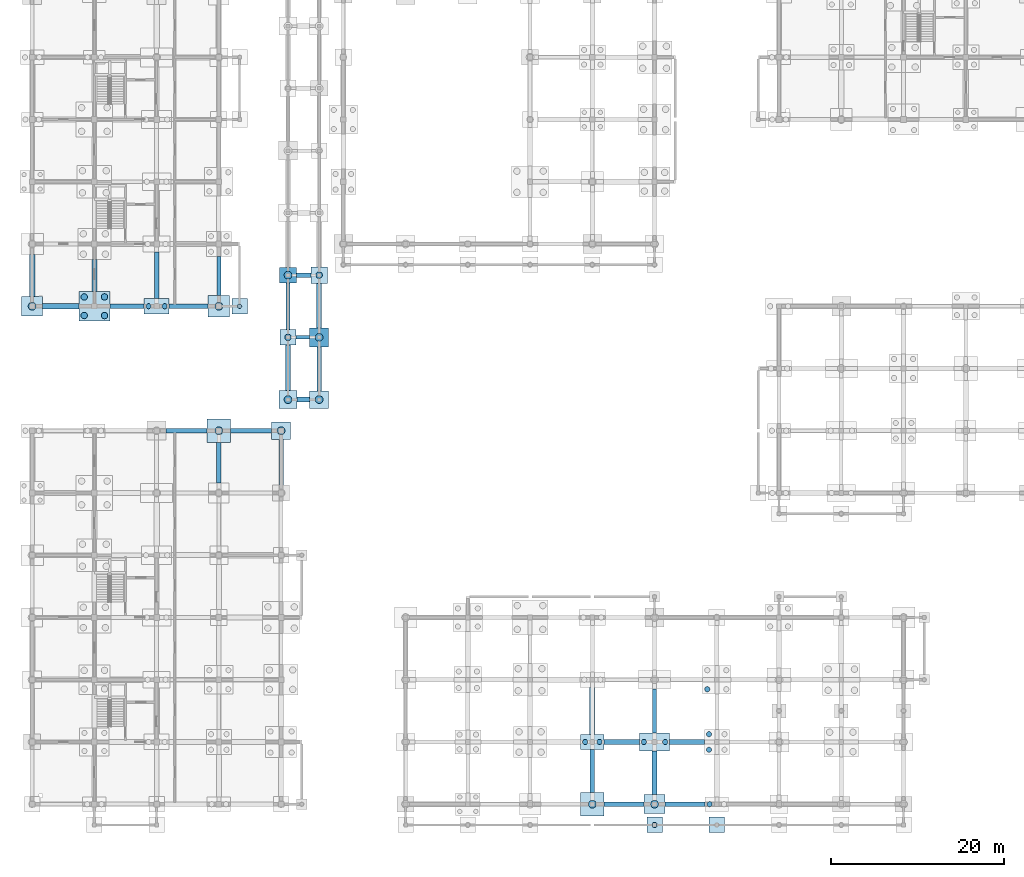
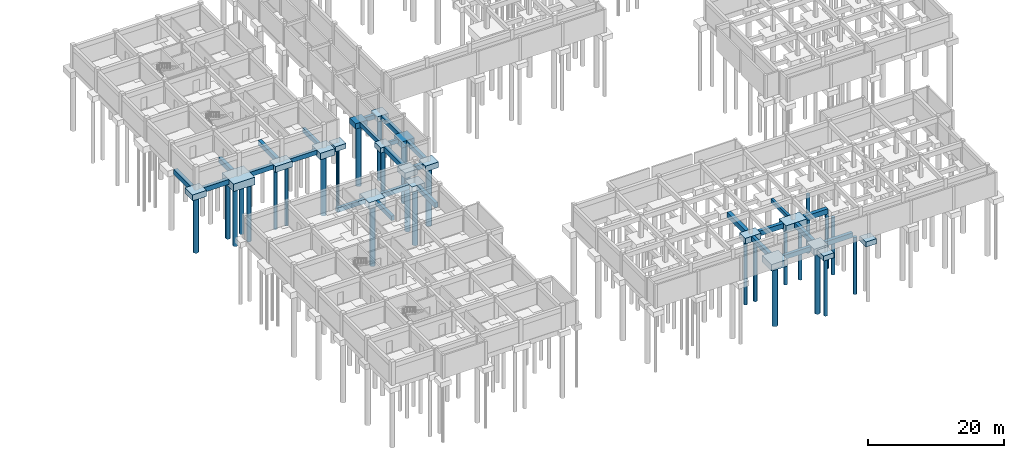
# One storey, part 4 of 38: 45 footings, 28 piles.
"""IFC4 building model written with IfcOpenShell, lengths in metres."""

import ifcopenshell
import ifcopenshell.guid

model = None  # the IFC model being written
_history = None  # IfcOwnerHistory: only IFC2X3 demands one
_inside = {}  # id of a spatial element -> (the spatial element, [elements in it])
_under = {}  # id of a project, library or spatial element -> (it, [spatial elements below it])
_declared = {}  # id of a project -> (the project, [libraries it declares])
_typed = {}  # id of a type object -> (the type object, [elements of that type])
_made_of = {}  # id of a material, layer set ... -> (it, [elements and type objects made of it])


def new_model(schema):
    """Start an empty IFC model of exactly this schema.

    Asked for "IFC4X3", IfcOpenShell would pick the latest addendum, in which some entities
    have other attributes; the version numbers below select the first issue.
    IFC2X3 requires an IfcOwnerHistory on every rooted entity: one is made here for all.
    """
    global model, _history
    if schema == "IFC4X3":
        model = ifcopenshell.file(schema_version=(4, 3, 0, 0))
    else:
        model = ifcopenshell.file(schema=schema)
    _inside.clear()
    _under.clear()
    _declared.clear()
    _typed.clear()
    _made_of.clear()
    _history = None
    if model.schema == "IFC2X3":
        org = make("IfcOrganization", Name="unknown")
        user = make(
            "IfcPersonAndOrganization",
            ThePerson=make("IfcPerson", FamilyName="unknown"),
            TheOrganization=org,
        )
        app = make(
            "IfcApplication",
            ApplicationDeveloper=org,
            Version="unknown",
            ApplicationFullName="unknown",
            ApplicationIdentifier="unknown",
        )
        _history = make(
            "IfcOwnerHistory",
            OwningUser=user,
            OwningApplication=app,
            ChangeAction="ADDED",
            CreationDate=0,
        )
    return model


def make(cls, **values):
    """One entity of the class cls with the attributes given. An attribute that is None is left unset."""
    return model.create_entity(
        cls, **{name: value for name, value in values.items() if value is not None}
    )


def rooted(cls, **values):
    """An entity with a GlobalId (a new one), such as an element, a storey or a relation."""
    return make(cls, GlobalId=ifcopenshell.guid.new(), OwnerHistory=_history, **values)


def si_unit(unit_type, name, prefix=None):
    """IfcSIUnit, for example si_unit("LENGTHUNIT", "METRE", prefix="MILLI")."""
    return make("IfcSIUnit", UnitType=unit_type, Prefix=prefix, Name=name)


def assignment(units):
    """IfcUnitAssignment: the units of a project."""
    return None if units is None else make("IfcUnitAssignment", Units=units)


def point(xyz):
    """IfcCartesianPoint."""
    return None if xyz is None else make("IfcCartesianPoint", Coordinates=xyz)


def direction(xyz):
    """IfcDirection."""
    return None if xyz is None else make("IfcDirection", DirectionRatios=xyz)


def frame(location, z_axis=None, x_axis=None):
    """IfcAxis2Placement3D, a coordinate frame: its origin and axes. An axis left out is left unset."""
    return make(
        "IfcAxis2Placement3D",
        Location=point(location),
        Axis=direction(z_axis),
        RefDirection=direction(x_axis),
    )


def frame_2d(location, x_axis=None):
    """IfcAxis2Placement2D, a coordinate frame in the plane: its origin and x axis."""
    return make(
        "IfcAxis2Placement2D", Location=point(location), RefDirection=direction(x_axis)
    )


def origin():
    """The frame at (0, 0, 0) with its axes left unset."""
    return frame((0.0, 0.0, 0.0))


def origin_2d():
    """The frame at (0, 0) in the plane with its x axis left unset."""
    return frame_2d((0.0, 0.0))


def place(relative_to, where):
    """IfcLocalPlacement: puts the frame where relative to a parent placement (None: the world)."""
    return make(
        "IfcLocalPlacement", PlacementRelTo=relative_to, RelativePlacement=where
    )


def context(
    kind, dimensions, precision=None, world=None, true_north=None, identifier=None
):
    """IfcGeometricRepresentationContext, for example the 3D "Model" context."""
    return make(
        "IfcGeometricRepresentationContext",
        ContextIdentifier=identifier,
        ContextType=kind,
        CoordinateSpaceDimension=dimensions,
        Precision=precision,
        WorldCoordinateSystem=world,
        TrueNorth=true_north,
    )


def subcontext(parent, identifier, kind, view, scale=None):
    """IfcGeometricRepresentationSubContext, for example "Body" below "Model"."""
    return make(
        "IfcGeometricRepresentationSubContext",
        ContextIdentifier=identifier,
        ContextType=kind,
        ParentContext=parent,
        TargetScale=scale,
        TargetView=view,
    )


def project(units=None, contexts=None):
    """IfcProject with its units and contexts."""
    return rooted(
        "IfcProject",
        Name="project",
        RepresentationContexts=contexts,
        UnitsInContext=assignment(units),
    )


def spatial(cls, under=None, at=None, **own):
    """A site, building, storey or space (cls), placed at a placement, below another one or the project."""
    s = rooted(cls, ObjectPlacement=at, **own)
    if under is not None:
        _under.setdefault(under.id(), (under, []))[1].append(s)
    return s


def polyline(points):
    """IfcPolyline through the points."""
    return make("IfcPolyline", Points=[point(p) for p in points])


def profile(cls, at=None, kind="AREA", **sizes):
    """A parametric profile (cls). Its sizes go by their IFC names, for example OverallWidth=200.0."""
    return make(cls, ProfileType=kind, Position=at, **sizes)


def rectangle(**sizes):
    """IfcRectangleProfileDef."""
    return profile("IfcRectangleProfileDef", **sizes)


def circle(**sizes):
    """IfcCircleProfileDef."""
    return profile("IfcCircleProfileDef", **sizes)


def outline(outer, holes=None, kind="AREA"):
    """IfcArbitraryClosedProfileDef: a profile drawn as a closed curve; with holes, ...WithVoids."""
    if holes is None:
        return make("IfcArbitraryClosedProfileDef", ProfileType=kind, OuterCurve=outer)
    return make(
        "IfcArbitraryProfileDefWithVoids",
        ProfileType=kind,
        OuterCurve=outer,
        InnerCurves=holes,
    )


def extrude(swept, where, along, depth):
    """IfcExtrudedAreaSolid: the profile swept, set in the frame where, extruded along a direction by depth."""
    return make(
        "IfcExtrudedAreaSolid",
        SweptArea=swept,
        Position=where,
        ExtrudedDirection=direction(along),
        Depth=depth,
    )


def shape(context_of_items, identifier, shape_type, items):
    """IfcShapeRepresentation: the items that make up one representation, for example the "Body"."""
    return make(
        "IfcShapeRepresentation",
        ContextOfItems=context_of_items,
        RepresentationIdentifier=identifier,
        RepresentationType=shape_type,
        Items=items,
    )


def material(Name=None, Category=None):
    """IfcMaterial."""
    return make("IfcMaterial", Name=Name, Category=Category)


def material_profile(
    of_material, cross_section, Name=None, Category=None, Priority=None
):
    """IfcMaterialProfile: a cross section and its material."""
    return make(
        "IfcMaterialProfile",
        Name=Name,
        Material=of_material,
        Profile=cross_section,
        Priority=Priority,
        Category=Category,
    )


def profile_set(profiles, Name=None, composite=None):
    """IfcMaterialProfileSet."""
    return make(
        "IfcMaterialProfileSet",
        Name=Name,
        MaterialProfiles=profiles,
        CompositeProfile=composite,
    )


def made_of(thing, what):
    """Note that an element or type object is made of a material, layer set ...; save() writes the relation."""
    if what is not None:
        _made_of.setdefault(what.id(), (what, []))[1].append(thing)
    return thing


def type_object(cls, material=None, **own):
    """A type object (cls), such as IfcWallType, which elements share."""
    return made_of(rooted(cls, **own), material)


def element(
    cls,
    number,
    at=None,
    inside=None,
    cuts=None,
    type_object=None,
    material=None,
    context=None,
    identifier="Body",
    shape_type=None,
    held_by="IfcProductDefinitionShape",
    body=None,
    shapes=None,
    **own,
):
    """One element of the class cls, such as IfcWall. Its Tag is "e" and its number.

    at: its placement. inside: the storey or other place that contains it. cuts: it is an
    opening in that element (IfcRelVoidsElement). A single representation is given by context,
    identifier, shape_type and body (its items); several are given by shapes. held_by: the class
    of the entity that holds the representations. save() writes the other relations.
    """
    e = rooted(cls, Tag="e%d" % number, ObjectPlacement=at, **own)
    if body is not None:
        shapes = [shape(context, identifier, shape_type, body)]
    if shapes is not None:
        e.Representation = make(held_by, Representations=shapes)
    if inside is not None:
        _inside.setdefault(inside.id(), (inside, []))[1].append(e)
    if cuts is not None:
        rooted(
            "IfcRelVoidsElement", RelatingBuildingElement=cuts, RelatedOpeningElement=e
        )
    if type_object is not None:
        _typed.setdefault(type_object.id(), (type_object, []))[1].append(e)
    return made_of(e, material)


def aggregate(whole, parts):
    """IfcRelAggregates: a whole, such as a stair, and the parts it consists of."""
    return rooted("IfcRelAggregates", RelatingObject=whole, RelatedObjects=parts)


def save(model, path):
    """Write the relations noted so far, then the file.

    IfcRelAggregates (storeys below a building ...), IfcRelContainedInSpatialStructure (elements
    in a storey), IfcRelDefinesByType, IfcRelAssociatesMaterial and IfcRelDeclares: one each for
    every whole, place, type object, material and project.
    """
    for whole, parts in _under.values():
        aggregate(whole, parts)
    for where, things in _inside.values():
        rooted(
            "IfcRelContainedInSpatialStructure",
            RelatedElements=things,
            RelatingStructure=where,
        )
    for kind, things in _typed.values():
        rooted("IfcRelDefinesByType", RelatedObjects=things, RelatingType=kind)
    for what, things in _made_of.values():
        rooted("IfcRelAssociatesMaterial", RelatedObjects=things, RelatingMaterial=what)
    for by, libraries in _declared.values():
        rooted("IfcRelDeclares", RelatingContext=by, RelatedDefinitions=libraries)
    model.write(path)


model = new_model("IFC4")

# Units and contexts
model_context = context("Model", 3, precision=1e-05, world=origin(), true_north=direction((0.0, 1.0)))
body_context = subcontext(model_context, "Body", "Model", "MODEL_VIEW")
ifc_project = project(units=[si_unit("LENGTHUNIT", "METRE"), si_unit("AREAUNIT", "SQUARE_METRE"), si_unit("VOLUMEUNIT", "CUBIC_METRE"), si_unit("PLANEANGLEUNIT", "RADIAN"), si_unit("MASSUNIT", "GRAM", prefix="KILO"), si_unit("THERMODYNAMICTEMPERATUREUNIT", "KELVIN"), si_unit("POWERUNIT", "WATT")], contexts=[model_context])

# Site, building, storey
site_placement = place(None, origin())
site = spatial("IfcSite", under=ifc_project, at=site_placement, CompositionType="ELEMENT")
building_placement = place(site_placement, origin())
building = spatial("IfcBuilding", under=site, at=building_placement, Name="Tavuni Mirador Residences", CompositionType="ELEMENT")
storey_placement = place(building_placement, frame((0.0, 0.0, -4.199951171875)))
storey = spatial("IfcBuildingStorey", under=building, at=storey_placement, Name="B1", CompositionType="ELEMENT", Elevation=-4.199951171875)

# Footings
ifc_material = material(Name="In-situ concrete C35/45", Category="concrete")
footing_type_1 = type_object("IfcFootingType", Name="FT-GB01", PredefinedType="FOOTING_BEAM", material=ifc_material)
footing_1_placement = place(storey_placement, frame((0.0, 0.0, -0.719970703125)))
element("IfcFooting", 1, at=footing_1_placement, inside=storey, type_object=footing_type_1, Name="GBY-PAV-SHOP-04-01", PredefinedType="FOOTING_BEAM", context=body_context, shape_type="SweptSolid", body=[
    extrude(outline(polyline([(75.389892578125, 15.449951171875), (75.81005859375, 15.449951171875), (75.81005859375, 20.5), (75.389892578125, 20.5), (75.389892578125, 15.449951171875)])), origin(), (0.0, 0.0, 1.0), 0.719970703125),
])
footing_2_placement = place(storey_placement, frame((0.0, 0.0, -0.719970703125)))
element("IfcFooting", 2, at=footing_2_placement, inside=storey, type_object=footing_type_1, Name="GBX-PAV-COL-00-01", PredefinedType="FOOTING_BEAM", context=body_context, shape_type="SweptSolid", body=[
    extrude(outline(polyline([(34.10009765625, 60.989990234375), (35.699951171875, 60.989990234375), (35.699951171875, 61.409912109375), (34.10009765625, 61.409912109375), (34.10009765625, 60.989990234375)])), origin(), (0.0, 0.0, 1.0), 0.719970703125),
])
footing_type_2 = type_object("IfcFootingType", Name="FT-GB02", PredefinedType="FOOTING_BEAM", material=ifc_material)
footing_3_placement = place(storey_placement, frame((0.0, 0.0, -0.760009765625)))
element("IfcFooting", 3, at=footing_3_placement, inside=storey, type_object=footing_type_2, Name="GBY-BLK-B-03-00", PredefinedType="FOOTING_BEAM", context=body_context, shape_type="SweptSolid", body=[
    extrude(outline(polyline([(24.969970703125, 66.050048828125), (25.429931640625, 66.050048828125), (25.429931640625, 70.550048828125), (24.969970703125, 70.550048828125), (24.969970703125, 66.050048828125)])), origin(), (0.0, 0.0, 1.0), 0.760009765625),
])
footing_4_placement = place(storey_placement, frame((0.0, 0.0, -0.760009765625)))
element("IfcFooting", 4, at=footing_4_placement, inside=storey, type_object=footing_type_2, Name="GBY-PAV-COL-00-01", PredefinedType="FOOTING_BEAM", context=body_context, shape_type="SweptSolid", body=[
    extrude(outline(polyline([(32.969970703125, 62.10009765625), (33.429931640625, 62.10009765625), (33.429931640625, 67.5), (32.969970703125, 67.5), (32.969970703125, 62.10009765625)])), origin(), (0.0, 0.0, 1.0), 0.760009765625),
])
footing_type_3 = type_object("IfcFootingType", Name="FT-GB03", PredefinedType="FOOTING_BEAM", material=ifc_material)
footing_5_placement = place(storey_placement, frame((0.0, 0.0, -0.800048828125)))
element("IfcFooting", 5, at=footing_5_placement, inside=storey, type_object=footing_type_3, Name="GBX-BLK-A-02-06", PredefinedType="FOOTING_BEAM", context=body_context, shape_type="SweptSolid", body=[
    extrude(outline(polyline([(19.10009765625, 50.14990234375), (23.824951171875, 50.14990234375), (23.824951171875, 50.64990234375), (19.10009765625, 50.64990234375), (19.10009765625, 50.14990234375)])), origin(), (0.0, 0.0, 1.0), 0.800048828125),
])
footing_6_placement = place(storey_placement, frame((0.0, 0.0, -0.800048828125)))
element("IfcFooting", 6, at=footing_6_placement, inside=storey, type_object=footing_type_3, Name="GBY-BLK-A-03-05", PredefinedType="FOOTING_BEAM", context=body_context, shape_type="SweptSolid", body=[
    extrude(outline(polyline([(24.949951171875, 44.375), (25.449951171875, 44.375), (25.449951171875, 49.02490234375), (24.949951171875, 49.02490234375), (24.949951171875, 44.375)])), origin(), (0.0, 0.0, 1.0), 0.800048828125),
])
footing_7_placement = place(storey_placement, frame((0.0, 0.0, -0.800048828125)))
element("IfcFooting", 7, at=footing_7_placement, inside=storey, type_object=footing_type_3, Name="GBX-BLK-B-02-00", PredefinedType="FOOTING_BEAM", context=body_context, shape_type="SweptSolid", body=[
    extrude(outline(polyline([(19.449951171875, 64.550048828125), (23.949951171875, 64.550048828125), (23.949951171875, 65.050048828125), (19.449951171875, 65.050048828125), (19.449951171875, 64.550048828125)])), origin(), (0.0, 0.0, 1.0), 0.800048828125),
])
footing_8_placement = place(storey_placement, frame((0.0, 0.0, -0.800048828125)))
element("IfcFooting", 8, at=footing_8_placement, inside=storey, type_object=footing_type_3, Name="GBX-PAV-SHOP-03-00", PredefinedType="FOOTING_BEAM", context=body_context, shape_type="SweptSolid", body=[
    extrude(outline(polyline([(69.77490234375, 6.949951171875), (74.39990234375, 6.949951171875), (74.39990234375, 7.449951171875), (69.77490234375, 7.449951171875), (69.77490234375, 6.949951171875)])), origin(), (0.0, 0.0, 1.0), 0.800048828125),
])
footing_9_placement = place(storey_placement, frame((0.0, 0.0, -0.800048828125)))
element("IfcFooting", 9, at=footing_9_placement, inside=storey, type_object=footing_type_3, Name="GBX-PAV-COL-00-02", PredefinedType="FOOTING_BEAM", context=body_context, shape_type="SweptSolid", body=[
    extrude(outline(polyline([(34.199951171875, 68.14990234375), (35.85009765625, 68.14990234375), (35.85009765625, 68.64990234375), (34.199951171875, 68.64990234375), (34.199951171875, 68.14990234375)])), origin(), (0.0, 0.0, 1.0), 0.800048828125),
])
footing_type_4 = type_object("IfcFootingType", Name="FT-GB04", PredefinedType="FOOTING_BEAM", material=ifc_material)
footing_10_placement = place(storey_placement, frame((0.0, 0.0, -0.840087890625)))
element("IfcFooting", 10, at=footing_10_placement, inside=storey, type_object=footing_type_4, Name="GBX-BLK-A-03-06", PredefinedType="FOOTING_BEAM", context=body_context, shape_type="SweptSolid", body=[
    extrude(outline(polyline([(26.574951171875, 50.1298828125), (31.300048828125, 50.1298828125), (31.300048828125, 50.669921875), (26.574951171875, 50.669921875), (26.574951171875, 50.1298828125)])), origin(), (0.0, 0.0, 1.0), 0.840087890625),
])
footing_11_placement = place(storey_placement, frame((0.0, 0.0, -0.840087890625)))
element("IfcFooting", 11, at=footing_11_placement, inside=storey, type_object=footing_type_4, Name="GBY-BLK-A-04-05", PredefinedType="FOOTING_BEAM", context=body_context, shape_type="SweptSolid", body=[
    extrude(outline(polyline([(32.1298828125, 44.10009765625), (32.669921875, 44.10009765625), (32.669921875, 49.39990234375), (32.1298828125, 49.39990234375), (32.1298828125, 44.10009765625)])), origin(), (0.0, 0.0, 1.0), 0.840087890625),
])
footing_12_placement = place(storey_placement, frame((0.0, 0.0, -0.840087890625)))
element("IfcFooting", 12, at=footing_12_placement, inside=storey, type_object=footing_type_4, Name="GBX-BLK-B-01-00", PredefinedType="FOOTING_BEAM", context=body_context, shape_type="SweptSolid", body=[
    extrude(outline(polyline([(12.60009765625, 64.530029296875), (16.550048828125, 64.530029296875), (16.550048828125, 65.070068359375), (12.60009765625, 65.070068359375), (12.60009765625, 64.530029296875)])), origin(), (0.0, 0.0, 1.0), 0.840087890625),
])
footing_13_placement = place(storey_placement, frame((0.0, 0.0, -0.840087890625)))
element("IfcFooting", 13, at=footing_13_placement, inside=storey, type_object=footing_type_4, Name="GBY-BLK-B-02-00", PredefinedType="FOOTING_BEAM", context=body_context, shape_type="SweptSolid", body=[
    extrude(outline(polyline([(17.72998046875, 65.699951171875), (18.27001953125, 65.699951171875), (18.27001953125, 71.050048828125), (17.72998046875, 71.050048828125), (17.72998046875, 65.699951171875)])), origin(), (0.0, 0.0, 1.0), 0.840087890625),
])
footing_14_placement = place(storey_placement, frame((0.0, 0.0, -0.840087890625)))
element("IfcFooting", 14, at=footing_14_placement, inside=storey, type_object=footing_type_4, Name="GBY-PAV-SHOP-03-00", PredefinedType="FOOTING_BEAM", context=body_context, shape_type="SweptSolid", body=[
    extrude(outline(polyline([(68.1298828125, 8.574951171875), (68.669921875, 8.574951171875), (68.669921875, 13.550048828125), (68.1298828125, 13.550048828125), (68.1298828125, 8.574951171875)])), origin(), (0.0, 0.0, 1.0), 0.840087890625),
])
footing_15_placement = place(storey_placement, frame((0.0, 0.0, -0.840087890625)))
element("IfcFooting", 15, at=footing_15_placement, inside=storey, type_object=footing_type_4, Name="GBX-PAV-SHOP-04-00", PredefinedType="FOOTING_BEAM", context=body_context, shape_type="SweptSolid", body=[
    extrude(outline(polyline([(76.800048828125, 6.929931640625), (81.449951171875, 6.929931640625), (81.449951171875, 7.469970703125), (76.800048828125, 7.469970703125), (76.800048828125, 6.929931640625)])), origin(), (0.0, 0.0, 1.0), 0.840087890625),
])
footing_16_placement = place(storey_placement, frame((0.0, 0.0, -0.840087890625)))
element("IfcFooting", 16, at=footing_16_placement, inside=storey, type_object=footing_type_4, Name="GBY-PAV-COL-01-00", PredefinedType="FOOTING_BEAM", context=body_context, shape_type="SweptSolid", body=[
    extrude(outline(polyline([(36.530029296875, 55.0), (37.070068359375, 55.0), (37.070068359375, 60.10009765625), (36.530029296875, 60.10009765625), (36.530029296875, 55.0)])), origin(), (0.0, 0.0, 1.0), 0.840087890625),
])
footing_type_5 = type_object("IfcFootingType", Name="FT-GB05", PredefinedType="FOOTING_BEAM", material=ifc_material)
footing_17_placement = place(storey_placement, frame((0.0, 0.0, -0.880126953125)))
element("IfcFooting", 17, at=footing_17_placement, inside=storey, type_object=footing_type_5, Name="GBX-BLK-B-00-00", PredefinedType="FOOTING_BEAM", context=body_context, shape_type="SweptSolid", body=[
    extrude(outline(polyline([(4.800048828125, 64.510009765625), (9.0, 64.510009765625), (9.0, 65.090087890625), (4.800048828125, 65.090087890625), (4.800048828125, 64.510009765625)])), origin(), (0.0, 0.0, 1.0), 0.880126953125),
])
footing_18_placement = place(storey_placement, frame((0.0, 0.0, -0.880126953125)))
element("IfcFooting", 18, at=footing_18_placement, inside=storey, type_object=footing_type_5, Name="GBY-BLK-B-01-00", PredefinedType="FOOTING_BEAM", context=body_context, shape_type="SweptSolid", body=[
    extrude(outline(polyline([(10.510009765625, 66.5), (11.090087890625, 66.5), (11.090087890625, 70.199951171875), (10.510009765625, 70.199951171875), (10.510009765625, 66.5)])), origin(), (0.0, 0.0, 1.0), 0.880126953125),
])
footing_19_placement = place(storey_placement, frame((0.0, 0.0, -0.880126953125)))
element("IfcFooting", 19, at=footing_19_placement, inside=storey, type_object=footing_type_5, Name="GBX-PAV-SHOP-03-01", PredefinedType="FOOTING_BEAM", context=body_context, shape_type="SweptSolid", body=[
    extrude(outline(polyline([(69.75, 14.110107421875), (73.85009765625, 14.110107421875), (73.85009765625, 14.68994140625), (69.75, 14.68994140625), (69.75, 14.110107421875)])), origin(), (0.0, 0.0, 1.0), 0.880126953125),
])
footing_20_placement = place(storey_placement, frame((0.0, 0.0, -0.880126953125)))
element("IfcFooting", 20, at=footing_20_placement, inside=storey, type_object=footing_type_5, Name="GBY-PAV-SHOP-04-00", PredefinedType="FOOTING_BEAM", context=body_context, shape_type="SweptSolid", body=[
    extrude(outline(polyline([(75.31005859375, 8.300048828125), (75.889892578125, 8.300048828125), (75.889892578125, 13.35009765625), (75.31005859375, 13.35009765625), (75.31005859375, 8.300048828125)])), origin(), (0.0, 0.0, 1.0), 0.880126953125),
])
footing_21_placement = place(storey_placement, frame((0.0, 0.0, -0.880126953125)))
element("IfcFooting", 21, at=footing_21_placement, inside=storey, type_object=footing_type_5, Name="GBX-PAV-COL-00-00", PredefinedType="FOOTING_BEAM", context=body_context, shape_type="SweptSolid", body=[
    extrude(outline(polyline([(34.25, 53.7099609375), (35.699951171875, 53.7099609375), (35.699951171875, 54.2900390625), (34.25, 54.2900390625), (34.25, 53.7099609375)])), origin(), (0.0, 0.0, 1.0), 0.880126953125),
])
footing_22_placement = place(storey_placement, frame((0.0, 0.0, -0.880126953125)))
element("IfcFooting", 22, at=footing_22_placement, inside=storey, type_object=footing_type_5, Name="GBY-PAV-COL-01-01", PredefinedType="FOOTING_BEAM", context=body_context, shape_type="SweptSolid", body=[
    extrude(outline(polyline([(36.510009765625, 62.300048828125), (37.090087890625, 62.300048828125), (37.090087890625, 67.449951171875), (36.510009765625, 67.449951171875), (36.510009765625, 62.300048828125)])), origin(), (0.0, 0.0, 1.0), 0.880126953125),
])
footing_type_6 = type_object("IfcFootingType", Name="FT-GB06", PredefinedType="FOOTING_BEAM", material=ifc_material)
footing_23_placement = place(storey_placement, frame((0.0, 0.0, -0.920166015625)))
element("IfcFooting", 23, at=footing_23_placement, inside=storey, type_object=footing_type_6, Name="GBY-BLK-B-00-00", PredefinedType="FOOTING_BEAM", context=body_context, shape_type="SweptSolid", body=[
    extrude(outline(polyline([(3.2900390625, 65.89990234375), (3.909912109375, 65.89990234375), (3.909912109375, 70.800048828125), (3.2900390625, 70.800048828125), (3.2900390625, 65.89990234375)])), origin(), (0.0, 0.0, 1.0), 0.920166015625),
])
footing_24_placement = place(storey_placement, frame((0.0, 0.0, -0.920166015625)))
element("IfcFooting", 24, at=footing_24_placement, inside=storey, type_object=footing_type_6, Name="GBY-PAV-SHOP-03-01", PredefinedType="FOOTING_BEAM", context=body_context, shape_type="SweptSolid", body=[
    extrude(outline(polyline([(68.090087890625, 15.25), (68.7099609375, 15.25), (68.7099609375, 20.699951171875), (68.090087890625, 20.699951171875), (68.090087890625, 15.25)])), origin(), (0.0, 0.0, 1.0), 0.920166015625),
])
footing_25_placement = place(storey_placement, frame((0.0, 0.0, -0.920166015625)))
element("IfcFooting", 25, at=footing_25_placement, inside=storey, type_object=footing_type_6, Name="GBX-PAV-SHOP-04-01", PredefinedType="FOOTING_BEAM", context=body_context, shape_type="SweptSolid", body=[
    extrude(outline(polyline([(77.35009765625, 14.090087890625), (81.35009765625, 14.090087890625), (81.35009765625, 14.7099609375), (77.35009765625, 14.7099609375), (77.35009765625, 14.090087890625)])), origin(), (0.0, 0.0, 1.0), 0.920166015625),
])
footing_26_placement = place(storey_placement, frame((0.0, 0.0, -0.920166015625)))
element("IfcFooting", 26, at=footing_26_placement, inside=storey, type_object=footing_type_6, Name="GBY-PAV-COL-00-00", PredefinedType="FOOTING_BEAM", context=body_context, shape_type="SweptSolid", body=[
    extrude(outline(polyline([(32.889892578125, 55.050048828125), (33.510009765625, 55.050048828125), (33.510009765625, 60.300048828125), (32.889892578125, 60.300048828125), (32.889892578125, 55.050048828125)])), origin(), (0.0, 0.0, 1.0), 0.920166015625),
])
footing_type_7 = type_object("IfcFootingType", Name="FT-PC01", PredefinedType="PILE_CAP", material=ifc_material)
for number, where, z_axis, x_axis, name in (
    (27, (33.199951171875, 61.199951171875, -0.89990234375), (0.0, 0.0, 1.0), (1.0, 0.0, 0.0), "CAP-PAV-COL-00-01"),
    (28, (27.60009765625, 64.800048828125, -0.89990234375), (0.0, 0.0, 1.0), (1.0, 0.0, 0.0), "CAP-APR-BLKB-E1-1"),
    (29, (75.60009765625, 4.800048828125, -0.89990234375), (0.0, 0.0, 1.0), (1.0, 0.0, 0.0), "CAP-APR-SHOP-S-S4"),
    (30, (82.800048828125, 4.800048828125, -0.89990234375), (0.0, 0.0, 1.0), (1.0, 0.0, 0.0), "CAP-APR-SHOP-S-S5"),
):
    element("IfcFooting", number, at=place(storey_placement, frame(where, z_axis=z_axis, x_axis=x_axis)), inside=storey, type_object=footing_type_7, Name=name, PredefinedType="PILE_CAP", context=body_context, shape_type="SweptSolid", body=[
        extrude(rectangle(XDim=1.800048828125, YDim=1.800048828125, at=origin_2d()), origin(), (0.0, 0.0, 1.0), 0.89990234375),
    ])
footing_type_8 = type_object("IfcFootingType", Name="FT-PC02", PredefinedType="PILE_CAP", material=ifc_material)
footing_27_placement = place(storey_placement, frame((33.199951171875, 68.39990234375, -0.9501953125), z_axis=(0.0, 0.0, 1.0), x_axis=(1.0, 0.0, 0.0)))
element("IfcFooting", 31, at=footing_27_placement, inside=storey, type_object=footing_type_8, Name="CAP-PAV-COL-00-02", PredefinedType="PILE_CAP", context=body_context, shape_type="SweptSolid", body=[
    extrude(rectangle(XDim=2.0, YDim=1.800048828125, at=origin_2d()), origin(), (0.0, 0.0, 1.0), 0.949951171875),
])
footing_type_9 = type_object("IfcFootingType", Name="FT-PC03", PredefinedType="PILE_CAP", material=ifc_material)
for number, where, z_axis, x_axis, name in (
    (32, (32.39990234375, 50.39990234375, -1.0), (0.0, 0.0, 1.0), (1.0, 0.0, 0.0), "CAP-BLK-A-04-06"),
    (33, (36.800048828125, 54.0, -1.0), (0.0, 0.0, 1.0), (1.0, 0.0, 0.0), "CAP-PAV-COL-01-00"),
):
    element("IfcFooting", number, at=place(storey_placement, frame(where, z_axis=z_axis, x_axis=x_axis)), inside=storey, type_object=footing_type_9, Name=name, PredefinedType="PILE_CAP", context=body_context, shape_type="SweptSolid", body=[
        extrude(rectangle(XDim=2.199951171875, YDim=2.0, at=origin_2d()), origin(), (0.0, 0.0, 1.0), 1.0),
    ])
footing_type_10 = type_object("IfcFootingType", Name="FT-PC04", PredefinedType="PILE_CAP", material=ifc_material)
for number, where, z_axis, x_axis, name in (
    (34, (3.60009765625, 64.800048828125, -1.05029296875), (0.0, 0.0, 1.0), (1.0, 0.0, 0.0), "CAP-BLK-B-00-00"),
    (35, (75.60009765625, 7.199951171875, -1.05029296875), (0.0, 0.0, 1.0), (1.0, 0.0, 0.0), "CAP-PAV-SHOP-04-00"),
):
    element("IfcFooting", number, at=place(storey_placement, frame(where, z_axis=z_axis, x_axis=x_axis)), inside=storey, type_object=footing_type_10, Name=name, PredefinedType="PILE_CAP", context=body_context, shape_type="SweptSolid", body=[
        extrude(rectangle(XDim=2.39990234375, YDim=2.199951171875, at=origin_2d()), origin(), (0.0, 0.0, 1.0), 1.050048828125),
    ])
footing_type_11 = type_object("IfcFootingType", Name="FT-PC10", PredefinedType="PILE_CAP", material=ifc_material)
footing_28_placement = place(storey_placement, frame((10.800048828125, 64.800048828125, -1.35009765625), z_axis=(0.0, 0.0, 1.0), x_axis=(1.0, 0.0, 0.0)))
element("IfcFooting", 36, at=footing_28_placement, inside=storey, type_object=footing_type_11, Name="CAP-BLK-B-01-00", PredefinedType="PILE_CAP", context=body_context, shape_type="SweptSolid", body=[
    extrude(rectangle(XDim=3.60009765625, YDim=3.39990234375, at=origin_2d()), origin(), (0.0, 0.0, 1.0), 1.35009765625),
])
footing_type_12 = type_object("IfcFootingType", Name="FT-PC15", PredefinedType="PILE_CAP", material=ifc_material)
footing_29_placement = place(storey_placement, frame((68.39990234375, 14.39990234375, -1.0), z_axis=(0.0, 0.0, 1.0), x_axis=(1.0, 0.0, 0.0)))
element("IfcFooting", 37, at=footing_29_placement, inside=storey, type_object=footing_type_12, Name="CAP-PAV-SHOP-03-01", PredefinedType="PILE_CAP", context=body_context, shape_type="SweptSolid", body=[
    extrude(rectangle(XDim=2.699951171875, YDim=1.699951171875, at=origin_2d()), origin(), (0.0, 0.0, 1.0), 1.0),
])
footing_type_13 = type_object("IfcFootingType", Name="FT-PC16", PredefinedType="PILE_CAP", material=ifc_material)
footing_30_placement = place(storey_placement, frame((18.0, 64.800048828125, -1.05029296875), z_axis=(0.0, 0.0, 1.0), x_axis=(1.0, 0.0, 0.0)))
element("IfcFooting", 38, at=footing_30_placement, inside=storey, type_object=footing_type_13, Name="CAP-BLK-B-02-00", PredefinedType="PILE_CAP", context=body_context, shape_type="SweptSolid", body=[
    extrude(rectangle(XDim=2.89990234375, YDim=1.800048828125, at=origin_2d()), origin(), (0.0, 0.0, 1.0), 1.050048828125),
])
footing_type_14 = type_object("IfcFootingType", Name="FT-PC19", PredefinedType="PILE_CAP", material=ifc_material)
footing_31_placement = place(storey_placement, frame((75.60009765625, 14.39990234375, -1.2001953125), z_axis=(0.0, 0.0, 1.0), x_axis=(1.0, 0.0, 0.0)))
element("IfcFooting", 39, at=footing_31_placement, inside=storey, type_object=footing_type_14, Name="CAP-PAV-SHOP-04-01", PredefinedType="PILE_CAP", context=body_context, shape_type="SweptSolid", body=[
    extrude(rectangle(XDim=3.5, YDim=2.10009765625, at=origin_2d()), origin(), (0.0, 0.0, 1.0), 1.199951171875),
])
footing_type_15 = type_object("IfcFootingType", Name="FT-PC21", PredefinedType="PILE_CAP", material=ifc_material)
footing_32_placement = place(storey_placement, frame((36.800048828125, 61.199951171875, -1.10009765625), z_axis=(0.0, 0.0, 1.0), x_axis=(1.0, 0.0, 0.0)))
element("IfcFooting", 40, at=footing_32_placement, inside=storey, type_object=footing_type_15, Name="CAP-PAV-COL-01-01", PredefinedType="PILE_CAP", context=body_context, shape_type="SweptSolid", body=[
    extrude(rectangle(XDim=2.199951171875, YDim=2.199951171875, at=origin_2d()), origin(), (0.0, 0.0, 1.0), 1.10009765625),
])
footing_type_16 = type_object("IfcFootingType", Name="FT-PC22", PredefinedType="PILE_CAP", material=ifc_material)
footing_33_placement = place(storey_placement, frame((25.199951171875, 64.800048828125, -1.14990234375), z_axis=(0.0, 0.0, 1.0), x_axis=(1.0, 0.0, 0.0)))
element("IfcFooting", 41, at=footing_33_placement, inside=storey, type_object=footing_type_16, Name="CAP-BLK-B-03-00", PredefinedType="PILE_CAP", context=body_context, shape_type="SweptSolid", body=[
    extrude(rectangle(XDim=2.5, YDim=2.5, at=origin_2d()), origin(), (0.0, 0.0, 1.0), 1.14990234375),
])
footing_type_17 = type_object("IfcFootingType", Name="FT-PC25", PredefinedType="PILE_CAP", material=ifc_material)
footing_34_placement = place(storey_placement, frame((36.800048828125, 68.39990234375, -0.919921875), z_axis=(0.0, 0.0, 1.0), x_axis=(1.0, 0.0, 0.0)))
element("IfcFooting", 42, at=footing_34_placement, inside=storey, type_object=footing_type_17, Name="CAP-PAV-COL-01-02", PredefinedType="PILE_CAP", context=body_context, shape_type="SweptSolid", body=[
    extrude(rectangle(XDim=1.89990234375, YDim=1.89990234375, at=origin_2d()), origin(), (0.0, 0.0, 1.0), 0.919921875),
])
footing_type_18 = type_object("IfcFootingType", Name="FT-PC26", PredefinedType="PILE_CAP", material=ifc_material)
footing_35_placement = place(storey_placement, frame((33.199951171875, 54.0, -0.97998046875), z_axis=(0.0, 0.0, 1.0), x_axis=(1.0, 0.0, 0.0)))
element("IfcFooting", 43, at=footing_35_placement, inside=storey, type_object=footing_type_18, Name="CAP-PAV-COL-00-00", PredefinedType="PILE_CAP", context=body_context, shape_type="SweptSolid", body=[
    extrude(rectangle(XDim=2.10009765625, YDim=2.10009765625, at=origin_2d()), origin(), (0.0, 0.0, 1.0), 0.97998046875),
])
footing_type_19 = type_object("IfcFootingType", Name="FT-PC28", PredefinedType="PILE_CAP", material=ifc_material)
for number, where, z_axis, x_axis, name in (
    (44, (25.199951171875, 50.39990234375, -1.18017578125), (0.0, 0.0, 1.0), (1.0, 0.0, 0.0), "CAP-BLK-A-03-06"),
    (45, (68.39990234375, 7.199951171875, -1.18017578125), (0.0, 0.0, 1.0), (1.0, 0.0, 0.0), "CAP-PAV-SHOP-03-00"),
):
    element("IfcFooting", number, at=place(storey_placement, frame(where, z_axis=z_axis, x_axis=x_axis)), inside=storey, type_object=footing_type_19, Name=name, PredefinedType="PILE_CAP", context=body_context, shape_type="SweptSolid", body=[
        extrude(rectangle(XDim=2.75, YDim=2.75, at=origin_2d()), origin(), (0.0, 0.0, 1.0), 1.179931640625),
    ])

# Piles
ifc_material_profile_1 = material_profile(ifc_material, circle(Radius=0.25, at=origin_2d()), Name="PILE D500", Category="concrete")
ifc_profile_set_1 = profile_set([ifc_material_profile_1], Name="In-situ concrete C35/45")
pile_type_1 = type_object("IfcPileType", Name="PT-D500", PredefinedType="BORED", material=ifc_profile_set_1)
pile_1_placement = place(storey_placement, frame((27.60009765625, 64.800048828125, -0.800048828125), z_axis=(0.0, 0.0, -1.0), x_axis=(1.0, 0.0, 0.0)))
element("IfcPile", 46, at=pile_1_placement, inside=storey, type_object=pile_type_1, Name="PIL-APR-BLKB-E1-1", PredefinedType="BORED", context=body_context, shape_type="SweptSolid", body=[
    extrude(circle(Radius=0.25, at=origin_2d()), origin(), (0.0, 0.0, 1.0), 10.60009765625),
])
ifc_material_profile_2 = material_profile(ifc_material, circle(Radius=0.300048828125, at=origin_2d()), Name="PILE D600", Category="concrete")
ifc_profile_set_2 = profile_set([ifc_material_profile_2], Name="In-situ concrete C35/45")
pile_type_2 = type_object("IfcPileType", Name="PT-D600", PredefinedType="BORED", material=ifc_profile_set_2)
for number, where, z_axis, x_axis, name in (
    (47, (17.070068359375, 64.800048828125, -1.050048828125), (0.0, 0.0, -1.0), (1.0, 0.0, 0.0), "PIL-BLK-B-02-00-1"),
    (48, (18.929931640625, 64.800048828125, -1.050048828125), (0.0, 0.0, -1.0), (1.0, 0.0, 0.0), "PIL-BLK-B-02-00-2"),
):
    element("IfcPile", number, at=place(storey_placement, frame(where, z_axis=z_axis, x_axis=x_axis)), inside=storey, type_object=pile_type_2, Name=name, PredefinedType="BORED", context=body_context, shape_type="SweptSolid", body=[
        extrude(circle(Radius=0.300048828125, at=origin_2d()), origin(), (0.0, 0.0, 1.0), 10.75),
    ])
for number, where, z_axis, x_axis, name in (
    (49, (67.570068359375, 14.39990234375, -1.0), (0.0, 0.0, -1.0), (1.0, 0.0, 0.0), "PIL-PAV-SHOP-03-01-1"),
    (50, (69.22998046875, 14.39990234375, -1.0), (0.0, 0.0, -1.0), (1.0, 0.0, 0.0), "PIL-PAV-SHOP-03-01-2"),
):
    element("IfcPile", number, at=place(storey_placement, frame(where, z_axis=z_axis, x_axis=x_axis)), inside=storey, type_object=pile_type_2, Name=name, PredefinedType="BORED", context=body_context, shape_type="SweptSolid", body=[
        extrude(circle(Radius=0.300048828125, at=origin_2d()), origin(), (0.0, 0.0, 1.0), 11.39990234375),
    ])
for number, where, z_axis, x_axis, name in (
    (51, (74.3701171875, 14.39990234375, -1.199951171875), (0.0, 0.0, -1.0), (1.0, 0.0, 0.0), "PIL-PAV-SHOP-04-01-1"),
    (52, (76.830078125, 14.39990234375, -1.199951171875), (0.0, 0.0, -1.0), (1.0, 0.0, 0.0), "PIL-PAV-SHOP-04-01-2"),
):
    element("IfcPile", number, at=place(storey_placement, frame(where, z_axis=z_axis, x_axis=x_axis)), inside=storey, type_object=pile_type_2, Name=name, PredefinedType="BORED", context=body_context, shape_type="SweptSolid", body=[
        extrude(circle(Radius=0.300048828125, at=origin_2d()), origin(), (0.0, 0.0, 1.0), 10.0),
    ])
pile_2_placement = place(storey_placement, frame((81.969970703125, 7.199951171875, -1.0), z_axis=(0.0, 0.0, -1.0), x_axis=(1.0, 0.0, 0.0)))
element("IfcPile", 53, at=pile_2_placement, inside=storey, type_object=pile_type_2, Name="PIL-PAV-SHOP-05-00-1", PredefinedType="BORED", context=body_context, shape_type="SweptSolid", body=[
    extrude(circle(Radius=0.300048828125, at=origin_2d()), origin(), (0.0, 0.0, 1.0), 10.199951171875),
])
for number, where, z_axis, x_axis, name in (
    (54, (81.89990234375, 13.5, -1.25), (0.0, 0.0, -1.0), (1.0, 0.0, 0.0), "PIL-PAV-SHOP-05-01-1"),
    (55, (81.89990234375, 15.300048828125, -1.25), (0.0, 0.0, -1.0), (1.0, 0.0, 0.0), "PIL-PAV-SHOP-05-01-3"),
):
    element("IfcPile", number, at=place(storey_placement, frame(where, z_axis=z_axis, x_axis=x_axis)), inside=storey, type_object=pile_type_2, Name=name, PredefinedType="BORED", context=body_context, shape_type="SweptSolid", body=[
        extrude(circle(Radius=0.300048828125, at=origin_2d()), origin(), (0.0, 0.0, 1.0), 10.25),
    ])
pile_3_placement = place(storey_placement, frame((81.699951171875, 20.5, -1.35009765625), z_axis=(0.0, 0.0, -1.0), x_axis=(1.0, 0.0, 0.0)))
element("IfcPile", 56, at=pile_3_placement, inside=storey, type_object=pile_type_2, Name="PIL-PAV-SHOP-05-02-1", PredefinedType="BORED", context=body_context, shape_type="SweptSolid", body=[
    extrude(circle(Radius=0.300048828125, at=origin_2d()), origin(), (0.0, 0.0, 1.0), 10.449951171875),
])
pile_4_placement = place(storey_placement, frame((75.60009765625, 4.800048828125, -0.800048828125), z_axis=(0.0, 0.0, -1.0), x_axis=(1.0, 0.0, 0.0)))
element("IfcPile", 57, at=pile_4_placement, inside=storey, type_object=pile_type_2, Name="PIL-APR-SHOP-S-S4", PredefinedType="BORED", context=body_context, shape_type="SweptSolid", body=[
    extrude(circle(Radius=0.300048828125, at=origin_2d()), origin(), (0.0, 0.0, 1.0), 10.60009765625),
])
ifc_material_profile_3 = material_profile(ifc_material, circle(Radius=0.375, at=origin_2d()), Name="PILE D750", Category="concrete")
ifc_profile_set_3 = profile_set([ifc_material_profile_3], Name="In-situ concrete C35/45")
pile_type_3 = type_object("IfcPileType", Name="PT-D750", PredefinedType="BORED", material=ifc_profile_set_3)
for number, where, z_axis, x_axis, name in (
    (58, (9.625, 63.72509765625, -1.35009765625), (0.0, 0.0, -1.0), (1.0, 0.0, 0.0), "PIL-BLK-B-01-00-1"),
    (59, (11.97509765625, 63.72509765625, -1.35009765625), (0.0, 0.0, -1.0), (1.0, 0.0, 0.0), "PIL-BLK-B-01-00-2"),
    (60, (9.625, 65.875, -1.35009765625), (0.0, 0.0, -1.0), (1.0, 0.0, 0.0), "PIL-BLK-B-01-00-3"),
    (61, (11.97509765625, 65.875, -1.35009765625), (0.0, 0.0, -1.0), (1.0, 0.0, 0.0), "PIL-BLK-B-01-00-4"),
):
    element("IfcPile", number, at=place(storey_placement, frame(where, z_axis=z_axis, x_axis=x_axis)), inside=storey, type_object=pile_type_3, Name=name, PredefinedType="BORED", context=body_context, shape_type="SweptSolid", body=[
        extrude(circle(Radius=0.375, at=origin_2d()), origin(), (0.0, 0.0, 1.0), 10.14990234375),
    ])
pile_5_placement = place(storey_placement, frame((33.199951171875, 61.199951171875, -0.900146484375), z_axis=(0.0, 0.0, -1.0), x_axis=(1.0, 0.0, 0.0)))
element("IfcPile", 62, at=pile_5_placement, inside=storey, type_object=pile_type_3, Name="PIL-PAV-COL-00-01-1", PredefinedType="BORED", context=body_context, shape_type="SweptSolid", body=[
    extrude(circle(Radius=0.375, at=origin_2d()), origin(), (0.0, 0.0, 1.0), 10.60009765625),
])
pile_6_placement = place(storey_placement, frame((36.800048828125, 68.39990234375, -0.920166015625), z_axis=(0.0, 0.0, -1.0), x_axis=(1.0, 0.0, 0.0)))
element("IfcPile", 63, at=pile_6_placement, inside=storey, type_object=pile_type_3, Name="PIL-PAV-COL-01-02-1", PredefinedType="BORED", context=body_context, shape_type="SweptSolid", body=[
    extrude(circle(Radius=0.375, at=origin_2d()), origin(), (0.0, 0.0, 1.0), 11.179931640625),
])
ifc_material_profile_4 = material_profile(ifc_material, circle(Radius=0.449951171875, at=origin_2d()), Name="PILE D900", Category="concrete")
ifc_profile_set_4 = profile_set([ifc_material_profile_4], Name="In-situ concrete C35/45")
pile_type_4 = type_object("IfcPileType", Name="PT-D900", PredefinedType="BORED", material=ifc_profile_set_4)
pile_7_placement = place(storey_placement, frame((25.199951171875, 50.39990234375, -1.179931640625), z_axis=(0.0, 0.0, -1.0), x_axis=(1.0, 0.0, 0.0)))
element("IfcPile", 64, at=pile_7_placement, inside=storey, type_object=pile_type_4, Name="PIL-BLK-A-03-06-1", PredefinedType="BORED", context=body_context, shape_type="SweptSolid", body=[
    extrude(circle(Radius=0.449951171875, at=origin_2d()), origin(), (0.0, 0.0, 1.0), 11.219970703125),
])
pile_8_placement = place(storey_placement, frame((32.39990234375, 50.39990234375, -1.0), z_axis=(0.0, 0.0, -1.0), x_axis=(1.0, 0.0, 0.0)))
element("IfcPile", 65, at=pile_8_placement, inside=storey, type_object=pile_type_4, Name="PIL-BLK-A-04-06-1", PredefinedType="BORED", context=body_context, shape_type="SweptSolid", body=[
    extrude(circle(Radius=0.449951171875, at=origin_2d()), origin(), (0.0, 0.0, 1.0), 10.199951171875),
])
pile_9_placement = place(storey_placement, frame((3.60009765625, 64.800048828125, -1.050048828125), z_axis=(0.0, 0.0, -1.0), x_axis=(1.0, 0.0, 0.0)))
element("IfcPile", 66, at=pile_9_placement, inside=storey, type_object=pile_type_4, Name="PIL-BLK-B-00-00-1", PredefinedType="BORED", context=body_context, shape_type="SweptSolid", body=[
    extrude(circle(Radius=0.449951171875, at=origin_2d()), origin(), (0.0, 0.0, 1.0), 10.14990234375),
])
pile_10_placement = place(storey_placement, frame((25.199951171875, 64.800048828125, -1.150146484375), z_axis=(0.0, 0.0, -1.0), x_axis=(1.0, 0.0, 0.0)))
element("IfcPile", 67, at=pile_10_placement, inside=storey, type_object=pile_type_4, Name="PIL-BLK-B-03-00-1", PredefinedType="BORED", context=body_context, shape_type="SweptSolid", body=[
    extrude(circle(Radius=0.449951171875, at=origin_2d()), origin(), (0.0, 0.0, 1.0), 10.949951171875),
])
pile_11_placement = place(storey_placement, frame((68.39990234375, 7.199951171875, -1.179931640625), z_axis=(0.0, 0.0, -1.0), x_axis=(1.0, 0.0, 0.0)))
element("IfcPile", 68, at=pile_11_placement, inside=storey, type_object=pile_type_4, Name="PIL-PAV-SHOP-03-00-1", PredefinedType="BORED", context=body_context, shape_type="SweptSolid", body=[
    extrude(circle(Radius=0.449951171875, at=origin_2d()), origin(), (0.0, 0.0, 1.0), 10.919921875),
])
pile_12_placement = place(storey_placement, frame((75.60009765625, 7.199951171875, -1.050048828125), z_axis=(0.0, 0.0, -1.0), x_axis=(1.0, 0.0, 0.0)))
element("IfcPile", 69, at=pile_12_placement, inside=storey, type_object=pile_type_4, Name="PIL-PAV-SHOP-04-00-1", PredefinedType="BORED", context=body_context, shape_type="SweptSolid", body=[
    extrude(circle(Radius=0.449951171875, at=origin_2d()), origin(), (0.0, 0.0, 1.0), 11.35009765625),
])
pile_13_placement = place(storey_placement, frame((33.199951171875, 54.0, -0.97998046875), z_axis=(0.0, 0.0, -1.0), x_axis=(1.0, 0.0, 0.0)))
element("IfcPile", 70, at=pile_13_placement, inside=storey, type_object=pile_type_4, Name="PIL-PAV-COL-00-00-1", PredefinedType="BORED", context=body_context, shape_type="SweptSolid", body=[
    extrude(circle(Radius=0.449951171875, at=origin_2d()), origin(), (0.0, 0.0, 1.0), 10.219970703125),
])
pile_14_placement = place(storey_placement, frame((33.199951171875, 68.39990234375, -0.949951171875), z_axis=(0.0, 0.0, -1.0), x_axis=(1.0, 0.0, 0.0)))
element("IfcPile", 71, at=pile_14_placement, inside=storey, type_object=pile_type_4, Name="PIL-PAV-COL-00-02-1", PredefinedType="BORED", context=body_context, shape_type="SweptSolid", body=[
    extrude(circle(Radius=0.449951171875, at=origin_2d()), origin(), (0.0, 0.0, 1.0), 10.85009765625),
])
pile_15_placement = place(storey_placement, frame((36.800048828125, 54.0, -1.0), z_axis=(0.0, 0.0, -1.0), x_axis=(1.0, 0.0, 0.0)))
element("IfcPile", 72, at=pile_15_placement, inside=storey, type_object=pile_type_4, Name="PIL-PAV-COL-01-00-1", PredefinedType="BORED", context=body_context, shape_type="SweptSolid", body=[
    extrude(circle(Radius=0.449951171875, at=origin_2d()), origin(), (0.0, 0.0, 1.0), 10.5),
])
pile_16_placement = place(storey_placement, frame((36.800048828125, 61.199951171875, -1.10009765625), z_axis=(0.0, 0.0, -1.0), x_axis=(1.0, 0.0, 0.0)))
element("IfcPile", 73, at=pile_16_placement, inside=storey, type_object=pile_type_4, Name="PIL-PAV-COL-01-01-1", PredefinedType="BORED", context=body_context, shape_type="SweptSolid", body=[
    extrude(circle(Radius=0.449951171875, at=origin_2d()), origin(), (0.0, 0.0, 1.0), 10.699951171875),
])

save(model, "model.ifc")
